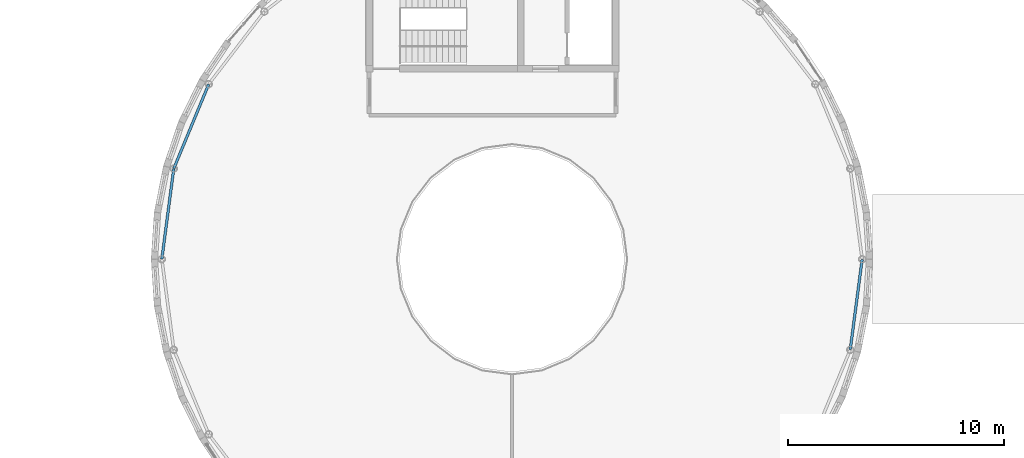
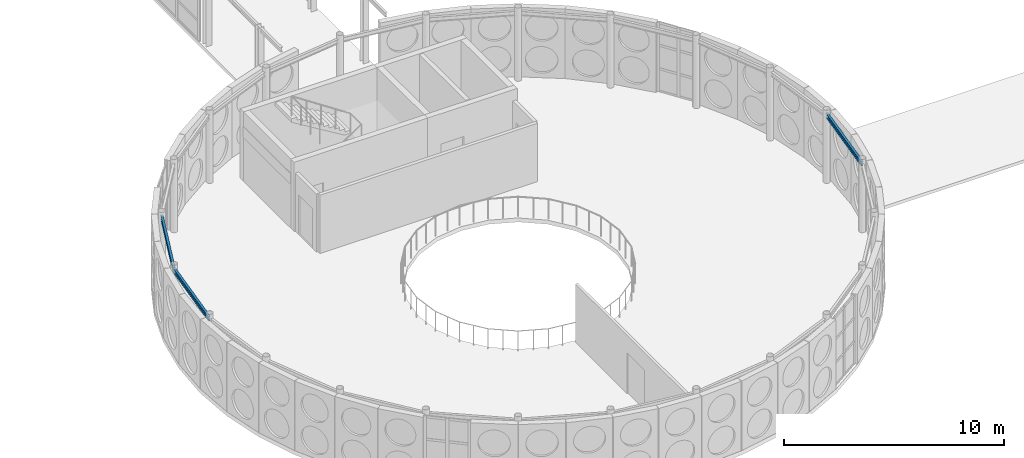
# One storey, part 51 of 189: 3 beams.
"""IFC4 building model written with IfcOpenShell, lengths in metres."""

from ifc_helpers import new_model, si_unit, direction, frame, origin, origin_2d, place, context, subcontext, project, spatial, i_section, extrude, material, material_profile, profile_set, type_object, element, save


model = new_model("IFC4")

# Units and contexts
model_context = context("Model", 3, precision=1e-05, world=origin(), true_north=direction((0.0, 1.0)))
body_context = subcontext(model_context, "Body", "Model", "MODEL_VIEW")
ifc_project = project(units=[si_unit("LENGTHUNIT", "METRE"), si_unit("AREAUNIT", "SQUARE_METRE"), si_unit("VOLUMEUNIT", "CUBIC_METRE"), si_unit("PLANEANGLEUNIT", "RADIAN"), si_unit("MASSUNIT", "GRAM", prefix="KILO")], contexts=[model_context])

# Site, building, storey
site_placement = place(None, origin())
site = spatial("IfcSite", under=ifc_project, at=site_placement, CompositionType="ELEMENT")
building_placement = place(site_placement, origin())
building = spatial("IfcBuilding", under=site, at=building_placement, Name="Montecoro Central Library", CompositionType="ELEMENT")
storey_placement = place(building_placement, frame((0.0, 0.0, 9.179931640625)))
storey = spatial("IfcBuildingStorey", under=building, at=storey_placement, Name="L02", CompositionType="ELEMENT", Elevation=9.179931640625)

# Beams
ifc_material = material(Name="Steel S355", Category="steel")
ifc_material_profile = material_profile(ifc_material, i_section(OverallWidth=0.1201171875, OverallDepth=0.239990234375, WebThickness=0.006103515625, FlangeThickness=0.009765625, at=origin_2d()), Name="IPE 240")
ifc_profile_set = profile_set([ifc_material_profile], Name="Steel S355")
beam_type = type_object("IfcBeamType", Name="BM-SP-IPE240", PredefinedType="SPANDREL", material=ifc_profile_set)
for number, where, z_axis, x_axis, name in (
    (1, (77.583984375, 43.48095703125, 3.705078125), (-0.382697134684, -0.923873856706, 0.0), (0.923873856706, -0.382697134684, 0.0), "V1-L02-RING-11"),
    (2, (75.969970703125, 39.577880859375, 3.705078125), (-0.130607740177, -0.99143412197, 0.0), (0.99143412197, -0.130607740177, 0.0), "V1-L02-RING-12"),
    (3, (107.22998046875, 31.221923828125, 3.705078125), (0.130607740177, 0.99143412197, 0.0), (-0.99143412197, 0.130607740177, 0.0), "V1-L02-RING-24"),
):
    element("IfcBeam", number, at=place(storey_placement, frame(where, z_axis=z_axis, x_axis=x_axis)), inside=storey, type_object=beam_type, Name=name, PredefinedType="SPANDREL", context=body_context, shape_type="SweptSolid", body=[
        extrude(i_section(OverallWidth=0.1201171875, OverallDepth=0.239990234375, WebThickness=0.006103515625, FlangeThickness=0.009765625, at=origin_2d()), origin(), (0.0, 0.0, 1.0), 4.2041015625),
    ])

save(model, "model.ifc")
